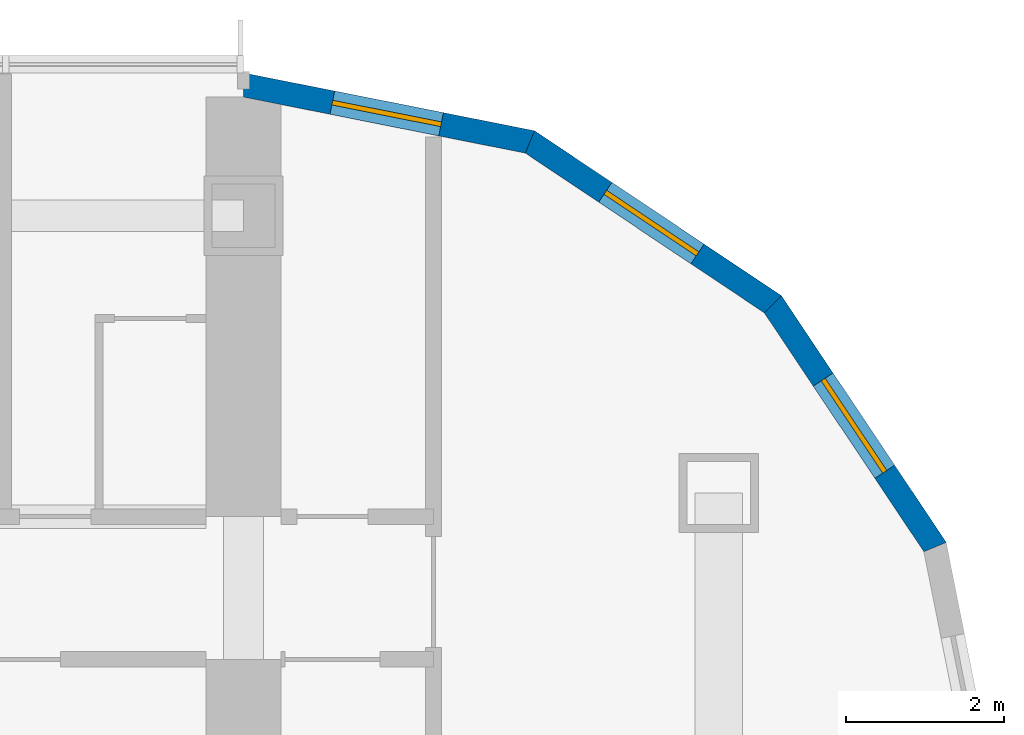
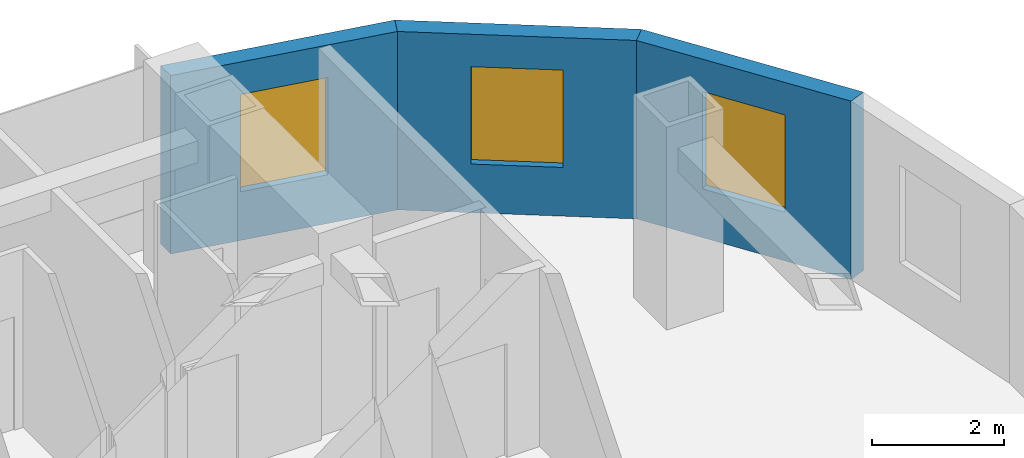
# One storey, part 17 of 22: 3 walls, 3 windows, 3 openings.
"""IFC4 building model written with IfcOpenShell, lengths in metres."""

from ifc_helpers import new_model, si_unit, direction, frame, frame_2d, origin, place, context, subcontext, project, spatial, polyline, rectangle, outline, extrude, material, layer, layer_set, type_object, element, fill, save


model = new_model("IFC4")

# Units and contexts
model_context = context("Model", 3, precision=1e-05, world=origin(), true_north=direction((0.0, 1.0)))
body_context = subcontext(model_context, "Body", "Model", "MODEL_VIEW")
ifc_project = project(units=[si_unit("LENGTHUNIT", "METRE"), si_unit("AREAUNIT", "SQUARE_METRE"), si_unit("VOLUMEUNIT", "CUBIC_METRE"), si_unit("PLANEANGLEUNIT", "RADIAN"), si_unit("MASSUNIT", "GRAM", prefix="KILO")], contexts=[model_context])

# Site, building, storey
site_placement = place(None, origin())
site = spatial("IfcSite", under=ifc_project, at=site_placement, CompositionType="ELEMENT")
building_placement = place(site_placement, origin())
building = spatial("IfcBuilding", under=site, at=building_placement, Name="Orbita Commons", CompositionType="ELEMENT")
storey_placement = place(building_placement, frame((0.0, 0.0, 80.64990234375)))
storey = spatial("IfcBuildingStorey", under=building, at=storey_placement, Name="L19", CompositionType="ELEMENT", Elevation=80.64990234375)

# Wall, opening, window
ifc_material_1 = material(Name="Precast concrete C40/50, white board-marked finish", Category="concrete")
ifc_layer = layer(ifc_material_1, 0.300048828125)
ifc_layer_set = layer_set([ifc_layer], Name="Precast concrete C40/50, white board-marked finish")
wall_type = type_object("IfcWallType", Name="Precast concrete end shield 300", PredefinedType="SOLIDWALL", material=ifc_layer_set)
wall_1_placement = place(storey_placement, frame((74.730712890625, 49.41650390625, 0.0), z_axis=(0.0, 0.0, 1.0), x_axis=(-0.555601399253, 0.831448786846, 0.0)))
wall_1 = element("IfcWall", 1, at=wall_1_placement, inside=storey, type_object=wall_type, Name="End shield NE chord 2 L19", PredefinedType="SOLIDWALL", context=body_context, shape_type="SweptSolid", body=[
    extrude(outline(polyline([(-0.02978515625, -0.14990234375), (3.717041015625, -0.14990234375), (3.657470703125, 0.14990234375), (0.02978515625, 0.14990234375), (-0.02978515625, -0.14990234375)])), origin(), (0.0, 0.0, 1.0), 3.300048828125),
])
opening_1_placement = place(wall_1_placement, frame((1.1435546875, 0.0, 0.89990234375)))
opening_1 = element("IfcOpeningElement", 2, at=opening_1_placement, cuts=wall_1, Name="Opening W02", PredefinedType="OPENING", context=body_context, shape_type="SweptSolid", body=[
    extrude(rectangle(XDim=1.39990234375, YDim=1.800048828125, at=frame_2d((0.699951171875, 0.89990234375))), frame((0.0, 0.159912109375, 0.0), z_axis=(0.0, -1.0, 0.0), x_axis=(1.0, 0.0, 0.0)), (0.0, 0.0, 1.0), 0.320068359375),
])
ifc_material_2 = material(Name="Aluminium frame, clear double glazing", Category="aluminium")
window_type = type_object("IfcWindowType", Name="Deep-set window 1400x1800", PartitioningType="SINGLE_PANEL", PredefinedType="WINDOW", material=ifc_material_2)
window_1_placement = place(opening_1_placement, origin())
window_1 = element("IfcWindow", 3, at=window_1_placement, inside=storey, type_object=window_type, Name="Window L19-NE1", OverallHeight=1.800048828125, OverallWidth=1.39990234375, PartitioningType="SINGLE_PANEL", PredefinedType="WINDOW", context=body_context, shape_type="SweptSolid", body=[
    extrude(rectangle(XDim=1.39990234375, YDim=1.800048828125, at=frame_2d((0.699951171875, 0.89990234375))), frame((0.0, 0.030029296875, 0.0), z_axis=(0.0, -1.0, 0.0), x_axis=(1.0, 0.0, 0.0)), (0.0, 0.0, 1.0), 0.06005859375),
])
fill(opening_1, window_1)

wall_2_placement = place(storey_placement, frame((72.68212890625, 52.482177734375, 0.0), z_axis=(0.0, 0.0, 1.0), x_axis=(-0.831448786846, 0.555601399253, 0.0)))
wall_2 = element("IfcWall", 4, at=wall_2_placement, inside=storey, type_object=wall_type, Name="End shield NE chord 3 L19", PredefinedType="SOLIDWALL", context=body_context, shape_type="SweptSolid", body=[
    extrude(outline(polyline([(-0.02978515625, -0.14990234375), (3.717041015625, -0.14990234375), (3.657470703125, 0.14990234375), (0.02978515625, 0.14990234375), (-0.02978515625, -0.14990234375)])), origin(), (0.0, 0.0, 1.0), 3.300048828125),
])
opening_2_placement = place(wall_2_placement, frame((1.1435546875, 0.0, 0.89990234375)))
opening_2 = element("IfcOpeningElement", 5, at=opening_2_placement, cuts=wall_2, Name="Opening W02", PredefinedType="OPENING", context=body_context, shape_type="SweptSolid", body=[
    extrude(rectangle(XDim=1.39990234375, YDim=1.800048828125, at=frame_2d((0.699951171875, 0.89990234375))), frame((0.0, 0.159912109375, 0.0), z_axis=(0.0, -1.0, 0.0), x_axis=(1.0, 0.0, 0.0)), (0.0, 0.0, 1.0), 0.320068359375),
])
window_2_placement = place(opening_2_placement, origin())
window_2 = element("IfcWindow", 6, at=window_2_placement, inside=storey, type_object=window_type, Name="Window L19-NE2", OverallHeight=1.800048828125, OverallWidth=1.39990234375, PartitioningType="SINGLE_PANEL", PredefinedType="WINDOW", context=body_context, shape_type="SweptSolid", body=[
    extrude(rectangle(XDim=1.39990234375, YDim=1.800048828125, at=frame_2d((0.699951171875, 0.89990234375))), frame((0.0, 0.030029296875, 0.0), z_axis=(0.0, -1.0, 0.0), x_axis=(1.0, 0.0, 0.0)), (0.0, 0.0, 1.0), 0.06005859375),
])
fill(opening_2, window_2)

wall_3_placement = place(storey_placement, frame((69.616455078125, 54.53076171875, 0.0), z_axis=(0.0, 0.0, 1.0), x_axis=(-0.980791473772, 0.195059183267, 0.0)))
wall_3 = element("IfcWall", 7, at=wall_3_placement, inside=storey, type_object=wall_type, Name="End shield NE chord 4 L19", PredefinedType="SOLIDWALL", context=body_context, shape_type="SweptSolid", body=[
    extrude(outline(polyline([(-0.02978515625, -0.14990234375), (3.717041015625, -0.14990234375), (3.657470703125, 0.14990234375), (0.02978515625, 0.14990234375), (-0.02978515625, -0.14990234375)])), origin(), (0.0, 0.0, 1.0), 3.300048828125),
])
opening_3_placement = place(wall_3_placement, frame((1.1435546875, 0.0, 0.89990234375)))
opening_3 = element("IfcOpeningElement", 8, at=opening_3_placement, cuts=wall_3, Name="Opening W02", PredefinedType="OPENING", context=body_context, shape_type="SweptSolid", body=[
    extrude(rectangle(XDim=1.39990234375, YDim=1.800048828125, at=frame_2d((0.699951171875, 0.89990234375))), frame((0.0, 0.159912109375, 0.0), z_axis=(0.0, -1.0, 0.0), x_axis=(1.0, 0.0, 0.0)), (0.0, 0.0, 1.0), 0.320068359375),
])
window_3_placement = place(opening_3_placement, origin())
window_3 = element("IfcWindow", 9, at=window_3_placement, inside=storey, type_object=window_type, Name="Window L19-NE3", OverallHeight=1.800048828125, OverallWidth=1.39990234375, PartitioningType="SINGLE_PANEL", PredefinedType="WINDOW", context=body_context, shape_type="SweptSolid", body=[
    extrude(rectangle(XDim=1.39990234375, YDim=1.800048828125, at=frame_2d((0.699951171875, 0.89990234375))), frame((0.0, 0.030029296875, 0.0), z_axis=(0.0, -1.0, 0.0), x_axis=(1.0, 0.0, 0.0)), (0.0, 0.0, 1.0), 0.06005859375),
])
fill(opening_3, window_3)

save(model, "model.ifc")
